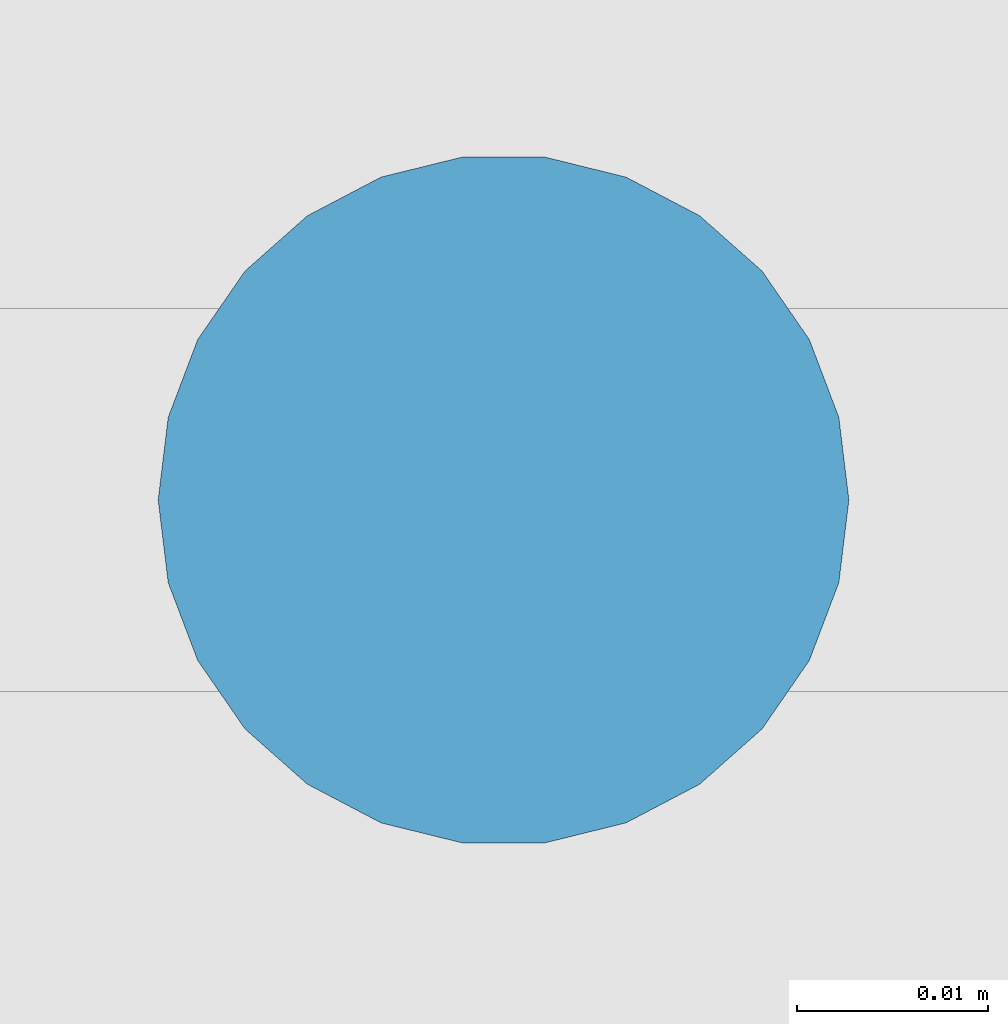
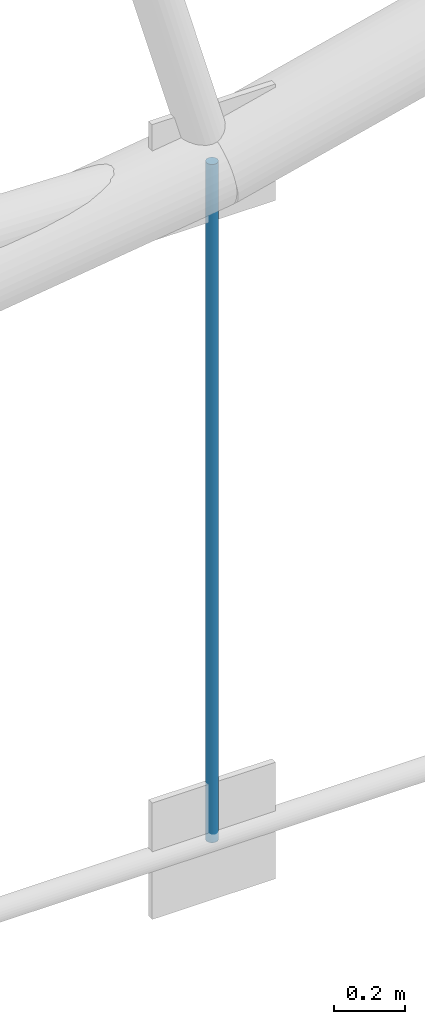
# One storey, part 29 of 321: 1 member.
"""IFC4 building model written with IfcOpenShell, lengths in metres."""

from ifc_helpers import new_model, si_unit, direction, frame, origin, origin_2d, place, context, subcontext, project, spatial, circle, extrude, material, material_profile, profile_set, type_object, element, save


model = new_model("IFC4")

# Units and contexts
model_context = context("Model", 3, precision=1e-05, world=origin(), true_north=direction((0.0, 1.0)))
body_context = subcontext(model_context, "Body", "Model", "MODEL_VIEW")
ifc_project = project(units=[si_unit("LENGTHUNIT", "METRE"), si_unit("AREAUNIT", "SQUARE_METRE"), si_unit("VOLUMEUNIT", "CUBIC_METRE"), si_unit("PLANEANGLEUNIT", "RADIAN"), si_unit("MASSUNIT", "GRAM", prefix="KILO")], contexts=[model_context])

# Site, building, storey
site_placement = place(None, origin())
site = spatial("IfcSite", under=ifc_project, at=site_placement, CompositionType="ELEMENT")
building_placement = place(site_placement, origin())
building = spatial("IfcBuilding", under=site, at=building_placement, Name="Ravi Spectrum Wholesale Market", CompositionType="ELEMENT")
storey_placement = place(building_placement, frame((0.0, 0.0, 10.800048828125)))
storey = spatial("IfcBuildingStorey", under=building, at=storey_placement, Name="L02", CompositionType="ELEMENT", Elevation=10.800048828125)

# Member
ifc_material = material(Name="Steel S355", Category="steel")
ifc_material_profile = material_profile(ifc_material, circle(Radius=0.01806640625, at=origin_2d()))
ifc_profile_set = profile_set([ifc_material_profile], Name="Steel S355")
member_type = type_object("IfcMemberType", Name="ROD 36 hanger", PredefinedType="STRUT", material=ifc_profile_set)
member_placement = place(storey_placement, frame((43.55029296875, 66.0, 0.023193359375), z_axis=(0.0, 0.0, 1.0), x_axis=(1.0, 0.0, 0.0)))
element("IfcMember", 1, at=member_placement, inside=storey, type_object=member_type, Name="H1-MB-L02-320", PredefinedType="STRUT", context=body_context, shape_type="SweptSolid", body=[
    extrude(circle(Radius=0.01806640625, at=origin_2d()), origin(), (0.0, 0.0, 1.0), 2.328857421875),
])

save(model, "model.ifc")
